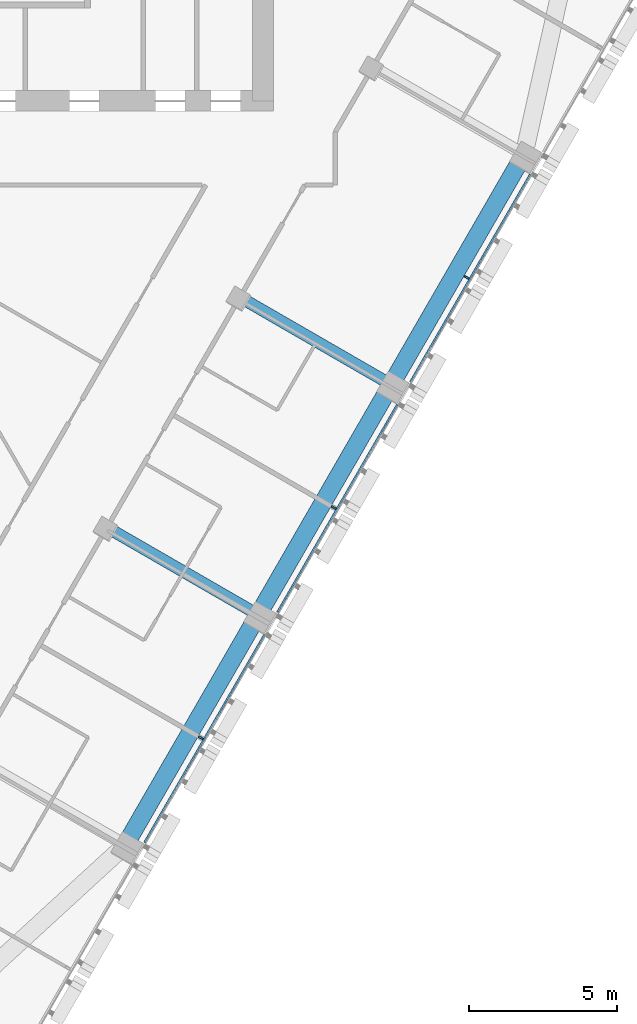
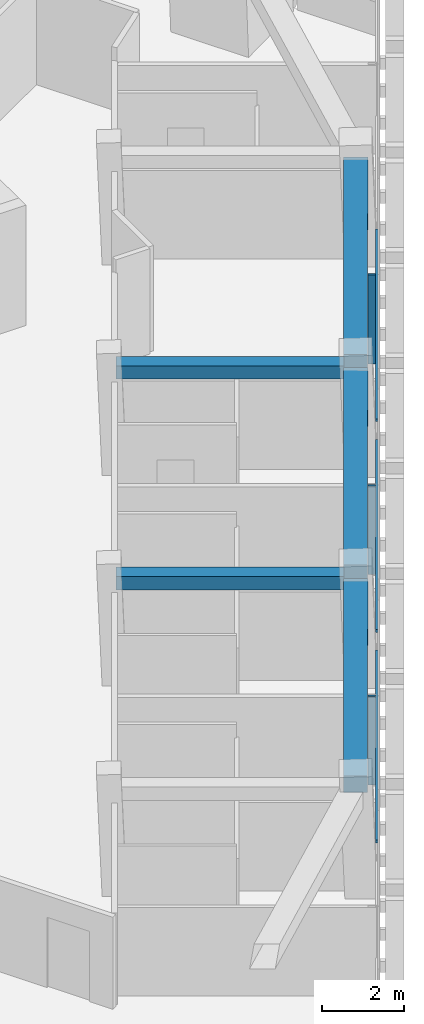
# One storey, part 4 of 16: 6 members, 5 beams, 1 element without a shape of its own.
"""IFC4 building model written with IfcOpenShell, lengths in metres."""

from ifc_helpers import new_model, si_unit, direction, frame, origin, origin_2d, place, context, subcontext, project, spatial, rectangle, extrude, material, layer, layer_set, material_profile, profile_set, type_object, element, aggregate, save


model = new_model("IFC4")

# Units and contexts
model_context = context("Model", 3, precision=1e-05, world=origin(), true_north=direction((0.0, 1.0)))
body_context = subcontext(model_context, "Body", "Model", "MODEL_VIEW")
ifc_project = project(units=[si_unit("LENGTHUNIT", "METRE"), si_unit("AREAUNIT", "SQUARE_METRE"), si_unit("VOLUMEUNIT", "CUBIC_METRE"), si_unit("PLANEANGLEUNIT", "RADIAN"), si_unit("MASSUNIT", "GRAM", prefix="KILO")], contexts=[model_context])

# Site, building, storey
site_placement = place(None, origin())
site = spatial("IfcSite", under=ifc_project, at=site_placement, CompositionType="ELEMENT")
building_placement = place(site_placement, origin())
building = spatial("IfcBuilding", under=site, at=building_placement, Name="Altiplano Prism Tower", CompositionType="ELEMENT")
storey_placement = place(building_placement, frame((0.0, 0.0, 174.60009765625)))
storey = spatial("IfcBuildingStorey", under=building, at=storey_placement, Name="L45", CompositionType="ELEMENT", Elevation=174.60009765625)

# Curtain wall, members
ifc_material_1 = material(Name="Aluminium and glass", Category="aluminium")
ifc_layer = layer(ifc_material_1, 0.280029296875)
ifc_layer_set = layer_set([ifc_layer], Name="Aluminium and glass")
curtain_wall_type = type_object("IfcCurtainWallType", Name="CW1 typical co-living unitised curtain wall", PredefinedType="NOTDEFINED", material=ifc_layer_set)
curtain_wall_placement = place(storey_placement, origin())
curtain_wall = element("IfcCurtainWall", 1, at=curtain_wall_placement, inside=storey, type_object=curtain_wall_type, Name="CW1 curtain wall south-east face L45", PredefinedType="NOTDEFINED")
ifc_material_2 = material(Name="Aluminium", Category="aluminium")
ifc_material_profile_1 = material_profile(ifc_material_2, rectangle(XDim=0.179931640625, YDim=0.06494140625, at=origin_2d()), Name="CW1 mullion 65 x 180")
ifc_profile_set_1 = profile_set([ifc_material_profile_1], Name="Aluminium")
member_type_1 = type_object("IfcMemberType", Name="CW1 mullion 65 x 180", PredefinedType="MULLION", material=ifc_profile_set_1)
member_1_placement = place(storey_placement, frame((95.242431640625, 71.481201171875, 0.0), z_axis=(0.0, 0.0, 1.0), x_axis=(-0.866025407144, 0.499999994181, 0.0)))
member_1 = element("IfcMember", 2, at=member_1_placement, type_object=member_type_1, Name="CW1 mullion", PredefinedType="MULLION", context=body_context, shape_type="SweptSolid", body=[
    extrude(rectangle(XDim=0.179931640625, YDim=0.06494140625, at=origin_2d()), origin(), (0.0, 0.0, 1.0), 2.64990234375),
])
member_2_placement = place(storey_placement, frame((99.742431640625, 79.275390625, 0.0), z_axis=(0.0, 0.0, 1.0), x_axis=(-0.866025407144, 0.499999994181, 0.0)))
member_2 = element("IfcMember", 3, at=member_2_placement, type_object=member_type_1, Name="CW1 mullion", PredefinedType="MULLION", context=body_context, shape_type="SweptSolid", body=[
    extrude(rectangle(XDim=0.179931640625, YDim=0.06494140625, at=origin_2d()), origin(), (0.0, 0.0, 1.0), 2.64990234375),
])
member_3_placement = place(storey_placement, frame((104.242431640625, 87.069580078125, 0.0), z_axis=(0.0, 0.0, 1.0), x_axis=(-0.866025407144, 0.499999994181, 0.0)))
member_3 = element("IfcMember", 4, at=member_3_placement, type_object=member_type_1, Name="CW1 mullion", PredefinedType="MULLION", context=body_context, shape_type="SweptSolid", body=[
    extrude(rectangle(XDim=0.179931640625, YDim=0.06494140625, at=origin_2d()), origin(), (0.0, 0.0, 1.0), 2.64990234375),
])
ifc_material_profile_2 = material_profile(ifc_material_2, rectangle(XDim=0.06005859375, YDim=0.080078125, at=origin_2d()), Name="CW1 transom 80 x 60")
ifc_profile_set_2 = profile_set([ifc_material_profile_2], Name="Aluminium")
member_type_2 = type_object("IfcMemberType", Name="CW1 transom 80 x 60", PredefinedType="USERDEFINED", material=ifc_profile_set_2)
member_4_placement = place(storey_placement, frame((93.336181640625, 67.939208984375, 1.099853515625), z_axis=(0.499977514064, 0.866038385657, 0.0), x_axis=(-0.866038385657, 0.499977514064, 0.0)))
member_4 = element("IfcMember", 5, at=member_4_placement, type_object=member_type_2, Name="CW1 transom", ObjectType="TRANSOM", PredefinedType="USERDEFINED", context=body_context, shape_type="SweptSolid", body=[
    extrude(rectangle(XDim=0.06005859375, YDim=0.080078125, at=origin_2d()), origin(), (0.0, 0.0, 1.0), 8.119873046875),
])
member_5_placement = place(storey_placement, frame((97.836181640625, 75.733642578125, 1.099853515625), z_axis=(0.499990533176, 0.866030869389, 0.0), x_axis=(-0.866030869389, 0.499990533176, 0.0)))
member_5 = element("IfcMember", 6, at=member_5_placement, type_object=member_type_2, Name="CW1 transom", ObjectType="TRANSOM", PredefinedType="USERDEFINED", context=body_context, shape_type="SweptSolid", body=[
    extrude(rectangle(XDim=0.06005859375, YDim=0.080078125, at=origin_2d()), origin(), (0.0, 0.0, 1.0), 8.119873046875),
])
member_6_placement = place(storey_placement, frame((102.336181640625, 83.52783203125, 1.099853515625), z_axis=(0.499990533176, 0.866030869389, 0.0), x_axis=(-0.866030869389, 0.499990533176, 0.0)))
member_6 = element("IfcMember", 7, at=member_6_placement, type_object=member_type_2, Name="CW1 transom", ObjectType="TRANSOM", PredefinedType="USERDEFINED", context=body_context, shape_type="SweptSolid", body=[
    extrude(rectangle(XDim=0.06005859375, YDim=0.080078125, at=origin_2d()), origin(), (0.0, 0.0, 1.0), 8.119873046875),
])
aggregate(curtain_wall, [member_1, member_4, member_2, member_5, member_3, member_6])

# Beams
ifc_material_3 = material(Name="Concrete C60/75", Category="concrete")
ifc_material_profile_3 = material_profile(ifc_material_3, rectangle(XDim=0.60009765625, YDim=0.5, at=origin_2d()), Name="Edge beam 600x500")
ifc_profile_set_3 = profile_set([ifc_material_profile_3], Name="Concrete C60/75")
beam_type_1 = type_object("IfcBeamType", Name="Edge beam 600x500", PredefinedType="SPANDREL", material=ifc_profile_set_3)
beam_placement = place(storey_placement, frame((92.8271484375, 68.094970703125, 2.89990234375), z_axis=(0.500015409341, 0.866016507015, 0.0), x_axis=(-0.866016507015, 0.500015409341, 0.0)))
element("IfcBeam", 8, at=beam_placement, inside=storey, type_object=beam_type_1, Name="Edge beam P21-P22 L46", PredefinedType="SPANDREL", context=body_context, shape_type="SweptSolid", body=[
    extrude(rectangle(XDim=0.60009765625, YDim=0.5, at=origin_2d()), origin(), (0.0, 0.0, 1.0), 8.440185546875),
])
for number, where, z_axis, x_axis, name in (
    (9, (97.3271484375, 75.889404296875, 2.89990234375), (0.500027935199, 0.866009274789, 0.0), (-0.866009274789, 0.500027935199, 0.0), "Edge beam P22-P23 L46"),
    (10, (101.8271484375, 83.68359375, 2.89990234375), (0.500027935199, 0.866009274789, 0.0), (-0.866009274789, 0.500027935199, 0.0), "Edge beam P23-P24 L46"),
):
    element("IfcBeam", number, at=place(storey_placement, frame(where, z_axis=z_axis, x_axis=x_axis)), inside=storey, type_object=beam_type_1, Name=name, PredefinedType="SPANDREL", context=body_context, shape_type="SweptSolid", body=[
        extrude(rectangle(XDim=0.60009765625, YDim=0.5, at=origin_2d()), origin(), (0.0, 0.0, 1.0), 8.43994140625),
    ])
ifc_material_profile_4 = material_profile(ifc_material_3, rectangle(XDim=0.39990234375, YDim=0.39990234375, at=origin_2d()), Name="Tie beam 400x400")
ifc_profile_set_4 = profile_set([ifc_material_profile_4], Name="Concrete C60/75")
beam_type_2 = type_object("IfcBeamType", Name="Tie beam 400x400", PredefinedType="BEAM", material=ifc_profile_set_4)
for number, where, z_axis, x_axis, name in (
    (11, (92.103759765625, 78.581787109375, 2.949951171875), (0.866030670444, -0.499990877767, 0.0), (0.499990877767, 0.866030670444, 0.0), "Tie beam I22 L46"),
    (12, (96.603759765625, 86.3759765625, 2.949951171875), (0.866030670444, -0.499990877767, 0.0), (0.499990877767, 0.866030670444, 0.0), "Tie beam I23 L46"),
):
    element("IfcBeam", number, at=place(storey_placement, frame(where, z_axis=z_axis, x_axis=x_axis)), inside=storey, type_object=beam_type_2, Name=name, PredefinedType="BEAM", context=body_context, shape_type="SweptSolid", body=[
        extrude(rectangle(XDim=0.39990234375, YDim=0.39990234375, at=origin_2d()), origin(), (0.0, 0.0, 1.0), 5.58984375),
    ])

save(model, "model.ifc")
